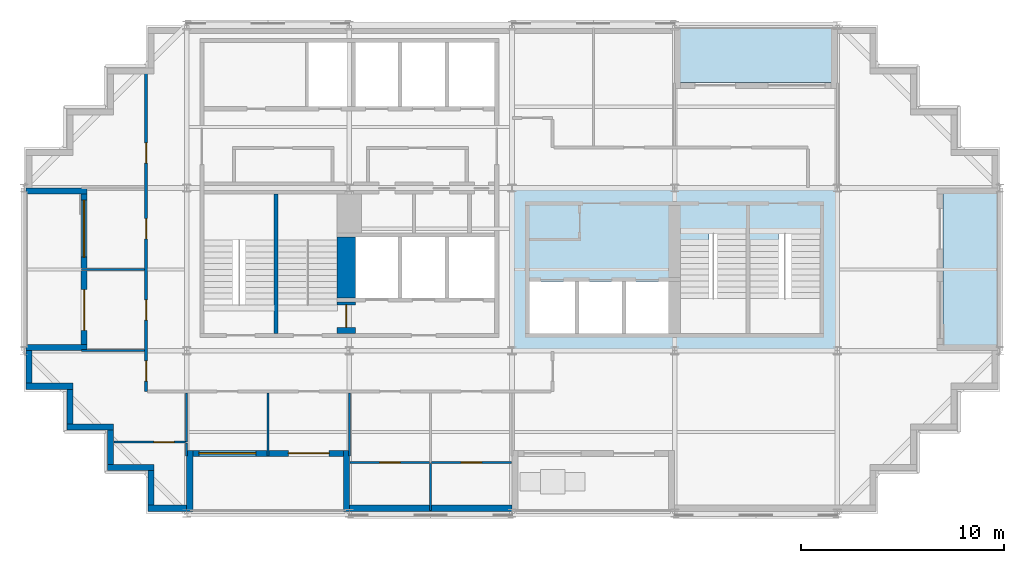
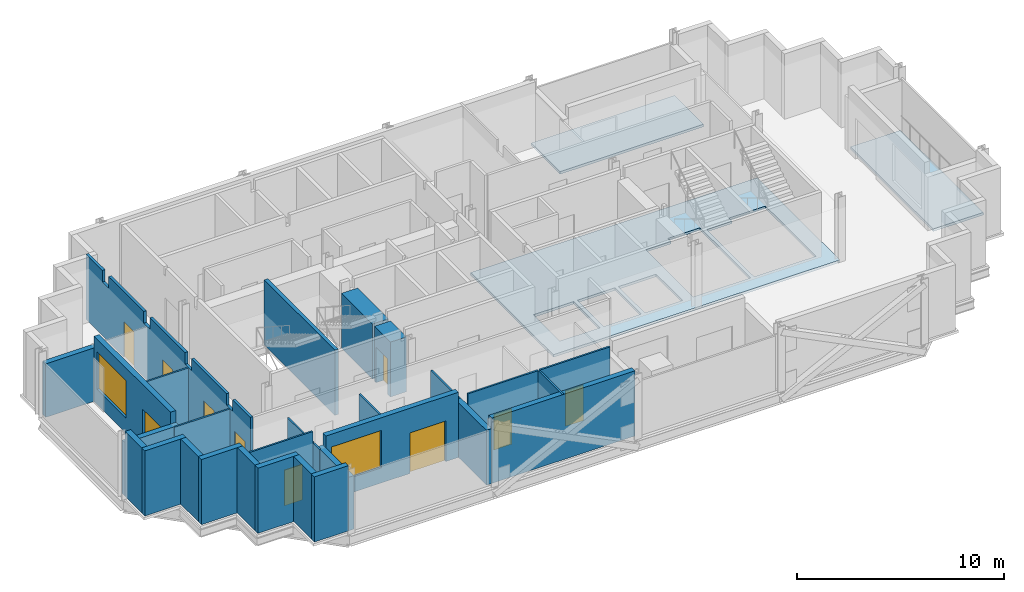
# One storey, part 2 of 8: 29 walls, 10 doors, 3 slabs, 2 windows, 12 openings.
"""IFC4 building model written with IfcOpenShell, lengths in metres."""

from ifc_helpers import new_model, si_unit, direction, frame, frame_2d, origin, place, context, subcontext, project, spatial, polyline, rectangle, outline, extrude, material, layer, layer_set, type_object, element, fill, save


model = new_model("IFC4")

# Units and contexts
model_context = context("Model", 3, precision=1e-05, world=origin(), true_north=direction((0.0, 1.0)))
body_context = subcontext(model_context, "Body", "Model", "MODEL_VIEW")
ifc_project = project(units=[si_unit("LENGTHUNIT", "METRE"), si_unit("AREAUNIT", "SQUARE_METRE"), si_unit("VOLUMEUNIT", "CUBIC_METRE"), si_unit("PLANEANGLEUNIT", "RADIAN"), si_unit("MASSUNIT", "GRAM", prefix="KILO")], contexts=[model_context])

# Site, building, storey
site_placement = place(None, origin())
site = spatial("IfcSite", under=ifc_project, at=site_placement, CompositionType="ELEMENT")
building_placement = place(site_placement, origin())
building = spatial("IfcBuilding", under=site, at=building_placement, Name="Immortelle Media Tower", CompositionType="ELEMENT")
storey_placement = place(building_placement, frame((0.0, 0.0, 193.0)))
storey = spatial("IfcBuildingStorey", under=building, at=storey_placement, Name="L40", CompositionType="ELEMENT", Elevation=193.0)

# Slabs
ifc_material_1 = material(Name="Concrete C50/60 composite deck", Category="concrete")
ifc_layer_1 = layer(ifc_material_1, 0.14990234375)
ifc_layer_set_1 = layer_set([ifc_layer_1], Name="Concrete C50/60 composite deck")
slab_type_1 = type_object("IfcSlabType", Name="Balcony slab 150", PredefinedType="FLOOR", material=ifc_layer_set_1)
slab_1_placement = place(storey_placement, frame((0.0, 0.0, -0.14990234375)))
element("IfcSlab", 1, at=slab_1_placement, inside=storey, type_object=slab_type_1, Name="Balcony slab L40 E0", PredefinedType="FLOOR", context=body_context, shape_type="SweptSolid", body=[
    extrude(outline(polyline([(48.0, 8.0), (48.0, 16.0), (45.199951171875, 16.0), (45.199951171875, 8.0), (48.0, 8.0)])), origin(), (0.0, 0.0, 1.0), 0.14990234375),
])
slab_2_placement = place(storey_placement, frame((0.0, 0.0, -0.14990234375)))
element("IfcSlab", 2, at=slab_2_placement, inside=storey, type_object=slab_type_1, Name="Balcony slab L40 N0", PredefinedType="FLOOR", context=body_context, shape_type="SweptSolid", body=[
    extrude(outline(polyline([(40.0, 21.199951171875), (40.0, 24.0), (32.0, 24.0), (32.0, 21.199951171875), (40.0, 21.199951171875)])), origin(), (0.0, 0.0, 1.0), 0.14990234375),
])
ifc_material_2 = material(Name="Concrete C50/60", Category="concrete")
ifc_layer_2 = layer(ifc_material_2, 0.14990234375)
ifc_layer_set_2 = layer_set([ifc_layer_2], Name="Concrete C50/60")
slab_type_2 = type_object("IfcSlabType", Name="Core floor slab 150", PredefinedType="FLOOR", material=ifc_layer_set_2)
slab_3_placement = place(storey_placement, frame((0.0, 0.0, -0.14990234375)))
element("IfcSlab", 3, at=slab_3_placement, inside=storey, type_object=slab_type_2, Name="Core floor SE", PredefinedType="FLOOR", context=body_context, shape_type="SweptSolid", body=[
    extrude(outline(polyline([(24.0, 8.0), (40.0, 8.0), (40.0, 16.0), (24.0, 16.0), (24.0, 8.0)]), holes=[polyline([(24.85009765625, 8.85009765625), (27.10009765625, 8.85009765625), (27.10009765625, 11.39990234375), (24.85009765625, 11.39990234375), (24.85009765625, 8.85009765625)]), polyline([(27.300048828125, 8.85009765625), (29.39990234375, 8.85009765625), (29.39990234375, 11.39990234375), (27.300048828125, 11.39990234375), (27.300048828125, 8.85009765625)]), polyline([(29.60009765625, 8.85009765625), (31.699951171875, 8.85009765625), (31.699951171875, 11.39990234375), (29.60009765625, 11.39990234375), (29.60009765625, 8.85009765625)]), polyline([(35.5, 13.72998046875), (35.5, 8.85009765625), (32.300048828125, 8.85009765625), (32.300048828125, 13.43994140625), (33.699951171875, 13.43994140625), (33.699951171875, 13.72998046875), (35.5, 13.72998046875)]), polyline([(39.14990234375, 13.72998046875), (39.14990234375, 8.85009765625), (35.699951171875, 8.85009765625), (35.699951171875, 13.43994140625), (37.10009765625, 13.43994140625), (37.10009765625, 13.72998046875), (39.14990234375, 13.72998046875)])]), origin(), (0.0, 0.0, 1.0), 0.14990234375),
])

# Wall, openings, doors
ifc_material_3 = material(Name="Fire-rated gypsum board", Category="gypsum")
ifc_layer_3 = layer(ifc_material_3, 0.012451171875)
ifc_material_4 = material(Name="Steel ASTM A653 SS Gr 50 stud frame with mineral wool", Category="steel")
ifc_layer_4 = layer(ifc_material_4, 0.125)
ifc_layer_5 = layer(ifc_material_3, 0.012451171875)
ifc_layer_set_3 = layer_set([ifc_layer_3, ifc_layer_4, ifc_layer_5], Name="Steel ASTM A653 SS Gr 50 stud frame with mineral wool")
wall_type_1 = type_object("IfcWallType", Name="Corridor wall 150", PredefinedType="PARTITIONING", material=ifc_layer_set_3)
wall_1_placement = place(storey_placement, frame((6.0, 6.0, 0.0), z_axis=(0.0, 0.0, 1.0), x_axis=(0.0, 1.0, 0.0)))
wall_1 = element("IfcWall", 4, at=wall_1_placement, inside=storey, type_object=wall_type_1, Name="Partition L40-012", PredefinedType="PARTITIONING", context=body_context, shape_type="SweptSolid", body=[
    extrude(outline(polyline([(0.0, 0.0), (15.8701171875, 0.0), (15.8701171875, 3.85009765625), (14.300048828125, 3.85009765625), (14.298095703125, 3.156982421875), (13.701904296875, 3.156982421875), (13.699951171875, 3.85009765625), (10.300048828125, 3.85009765625), (10.298095703125, 3.156982421875), (9.701904296875, 3.156982421875), (9.699951171875, 3.85009765625), (6.300048828125, 3.85009765625), (6.298095703125, 3.156982421875), (5.701904296875, 3.156982421875), (5.699951171875, 3.85009765625), (2.300048828125, 3.85009765625), (2.298095703125, 3.156982421875), (1.701904296875, 3.156982421875), (1.699951171875, 3.85009765625), (0.0, 3.85009765625), (0.0, 0.0)])), frame((0.0, 0.074951171875, 0.0), z_axis=(0.0, -1.0, 0.0), x_axis=(1.0, 0.0, 0.0)), (0.0, 0.0, 1.0), 0.14990234375),
])
opening_1_placement = place(wall_1_placement, frame((0.5, 0.0, 0.0)))
opening_1 = element("IfcOpeningElement", 5, at=opening_1_placement, cuts=wall_1, Name="Opening O1-F007", PredefinedType="OPENING", context=body_context, shape_type="SweptSolid", body=[
    extrude(rectangle(XDim=1.0, YDim=2.10009765625, at=frame_2d((0.5, 1.050048828125))), frame((0.0, 0.0849609375, 0.0), z_axis=(0.0, -1.0, 0.0), x_axis=(1.0, 0.0, 0.0)), (0.0, 0.0, 1.0), 0.169921875),
])
opening_2_placement = place(wall_1_placement, frame((3.5, 0.0, 0.0)))
opening_2 = element("IfcOpeningElement", 6, at=opening_2_placement, cuts=wall_1, Name="Opening O1-F010", PredefinedType="OPENING", context=body_context, shape_type="SweptSolid", body=[
    extrude(rectangle(XDim=1.0, YDim=2.10009765625, at=frame_2d((0.5, 1.050048828125))), frame((0.0, 0.0849609375, 0.0), z_axis=(0.0, -1.0, 0.0), x_axis=(1.0, 0.0, 0.0)), (0.0, 0.0, 1.0), 0.169921875),
])
opening_3_placement = place(wall_1_placement, frame((7.5, 0.0, 0.0)))
opening_3 = element("IfcOpeningElement", 7, at=opening_3_placement, cuts=wall_1, Name="Opening O1-F011", PredefinedType="OPENING", context=body_context, shape_type="SweptSolid", body=[
    extrude(rectangle(XDim=1.0, YDim=2.10009765625, at=frame_2d((0.5, 1.050048828125))), frame((0.0, 0.0849609375, 0.0), z_axis=(0.0, -1.0, 0.0), x_axis=(1.0, 0.0, 0.0)), (0.0, 0.0, 1.0), 0.169921875),
])
opening_4_placement = place(wall_1_placement, frame((11.22509765625, 0.0, 0.0)))
opening_4 = element("IfcOpeningElement", 8, at=opening_4_placement, cuts=wall_1, Name="Opening O1-F012", PredefinedType="OPENING", context=body_context, shape_type="SweptSolid", body=[
    extrude(rectangle(XDim=1.0, YDim=2.10009765625, at=frame_2d((0.5, 1.050048828125))), frame((0.0, 0.0849609375, 0.0), z_axis=(0.0, -1.0, 0.0), x_axis=(1.0, 0.0, 0.0)), (0.0, 0.0, 1.0), 0.169921875),
])
ifc_material_5 = material(Name="Timber veneered door leaf, galvanised steel frame ASTM A653", Category="steel")
door_type_1 = type_object("IfcDoorType", Name="Room door 1000 x 2100", OperationType="NOTDEFINED", PredefinedType="DOOR", material=ifc_material_5)
door_1_placement = place(opening_1_placement, origin())
door_1 = element("IfcDoor", 9, at=door_1_placement, inside=storey, type_object=door_type_1, Name="Door O1-F007", OperationType="SINGLE_SWING_RIGHT", OverallHeight=2.10009765625, OverallWidth=1.0, PredefinedType="DOOR", context=body_context, shape_type="SweptSolid", body=[
    extrude(rectangle(XDim=1.0, YDim=2.10009765625, at=frame_2d((0.5, 1.050048828125))), frame((0.0, 0.02490234375, 0.0), z_axis=(0.0, -1.0, 0.0), x_axis=(1.0, 0.0, 0.0)), (0.0, 0.0, 1.0), 0.050048828125),
])
fill(opening_1, door_1)
door_2_placement = place(opening_2_placement, origin())
door_2 = element("IfcDoor", 10, at=door_2_placement, inside=storey, type_object=door_type_1, Name="Door O1-F010", OperationType="SINGLE_SWING_RIGHT", OverallHeight=2.10009765625, OverallWidth=1.0, PredefinedType="DOOR", context=body_context, shape_type="SweptSolid", body=[
    extrude(rectangle(XDim=1.0, YDim=2.10009765625, at=frame_2d((0.5, 1.050048828125))), frame((0.0, 0.02490234375, 0.0), z_axis=(0.0, -1.0, 0.0), x_axis=(1.0, 0.0, 0.0)), (0.0, 0.0, 1.0), 0.050048828125),
])
fill(opening_2, door_2)
door_3_placement = place(opening_3_placement, origin())
door_3 = element("IfcDoor", 11, at=door_3_placement, inside=storey, type_object=door_type_1, Name="Door O1-F011", OperationType="SINGLE_SWING_LEFT", OverallHeight=2.10009765625, OverallWidth=1.0, PredefinedType="DOOR", context=body_context, shape_type="SweptSolid", body=[
    extrude(rectangle(XDim=1.0, YDim=2.10009765625, at=frame_2d((0.5, 1.050048828125))), frame((0.0, 0.02490234375, 0.0), z_axis=(0.0, -1.0, 0.0), x_axis=(1.0, 0.0, 0.0)), (0.0, 0.0, 1.0), 0.050048828125),
])
fill(opening_3, door_3)
door_4_placement = place(opening_4_placement, origin())
door_4 = element("IfcDoor", 12, at=door_4_placement, inside=storey, type_object=door_type_1, Name="Door O1-F012", OperationType="SINGLE_SWING_LEFT", OverallHeight=2.10009765625, OverallWidth=1.0, PredefinedType="DOOR", context=body_context, shape_type="SweptSolid", body=[
    extrude(rectangle(XDim=1.0, YDim=2.10009765625, at=frame_2d((0.5, 1.050048828125))), frame((0.0, 0.02490234375, 0.0), z_axis=(0.0, -1.0, 0.0), x_axis=(1.0, 0.0, 0.0)), (0.0, 0.0, 1.0), 0.050048828125),
])
fill(opening_4, door_4)

# Walls
ifc_material_6 = material(Name="Pale aluminium cladding panel", Category="aluminium")
ifc_layer_6 = layer(ifc_material_6, 0.030029296875)
ifc_layer_7 = layer(ifc_material_4, 0.257568359375)
ifc_material_7 = material(Name="Moisture-resistant gypsum board", Category="gypsum")
ifc_layer_8 = layer(ifc_material_7, 0.012451171875)
ifc_layer_set_4 = layer_set([ifc_layer_6, ifc_layer_7, ifc_layer_8], Name="Steel ASTM A653 SS Gr 50 stud frame with mineral wool")
wall_type_2 = type_object("IfcWallType", Name="Facade wall 300", PredefinedType="SOLIDWALL", material=ifc_layer_set_4)
wall_2_placement = place(storey_placement, frame((0.10009765625, 6.25, 0.0), z_axis=(0.0, 0.0, 1.0), x_axis=(1.0, 0.0, 0.0)))
element("IfcWall", 13, at=wall_2_placement, inside=storey, type_object=wall_type_2, Name="Facade wall L40 S0", PredefinedType="SOLIDWALL", context=body_context, shape_type="SweptSolid", body=[
    extrude(rectangle(XDim=2.2998046875, YDim=0.300048828125, at=frame_2d((1.14990234375, 0.0))), origin(), (0.0, 0.0, 1.0), 3.85009765625),
])
wall_3_placement = place(storey_placement, frame((2.25, 6.10009765625, 0.0), z_axis=(0.0, 0.0, 1.0), x_axis=(0.0, -1.0, 0.0)))
element("IfcWall", 14, at=wall_3_placement, inside=storey, type_object=wall_type_2, Name="Facade wall L40 W1", PredefinedType="SOLIDWALL", context=body_context, shape_type="SweptSolid", body=[
    extrude(rectangle(XDim=1.7001953125, YDim=0.300048828125, at=frame_2d((0.85009765625, 0.0))), origin(), (0.0, 0.0, 1.0), 3.85009765625),
])
wall_4_placement = place(storey_placement, frame((2.10009765625, 4.25, 0.0), z_axis=(0.0, 0.0, 1.0), x_axis=(1.0, 0.0, 0.0)))
element("IfcWall", 15, at=wall_4_placement, inside=storey, type_object=wall_type_2, Name="Facade wall L40 S2", PredefinedType="SOLIDWALL", context=body_context, shape_type="SweptSolid", body=[
    extrude(rectangle(XDim=2.2998046875, YDim=0.300048828125, at=frame_2d((1.14990234375, 0.0))), origin(), (0.0, 0.0, 1.0), 3.85009765625),
])
wall_5_placement = place(storey_placement, frame((4.25, 4.10009765625, 0.0), z_axis=(0.0, 0.0, 1.0), x_axis=(0.0, -1.0, 0.0)))
element("IfcWall", 16, at=wall_5_placement, inside=storey, type_object=wall_type_2, Name="Facade wall L40 W3", PredefinedType="SOLIDWALL", context=body_context, shape_type="SweptSolid", body=[
    extrude(rectangle(XDim=1.7001953125, YDim=0.300048828125, at=frame_2d((0.85009765625, 0.0))), origin(), (0.0, 0.0, 1.0), 3.85009765625),
])
wall_6_placement = place(storey_placement, frame((4.10009765625, 2.25, 0.0), z_axis=(0.0, 0.0, 1.0), x_axis=(1.0, 0.0, 0.0)))
element("IfcWall", 17, at=wall_6_placement, inside=storey, type_object=wall_type_2, Name="Facade wall L40 S4", PredefinedType="SOLIDWALL", context=body_context, shape_type="SweptSolid", body=[
    extrude(rectangle(XDim=2.2998046875, YDim=0.300048828125, at=frame_2d((1.14990234375, 0.0))), origin(), (0.0, 0.0, 1.0), 3.85009765625),
])
wall_7_placement = place(storey_placement, frame((6.25, 2.10009765625, 0.0), z_axis=(0.0, 0.0, 1.0), x_axis=(0.0, -1.0, 0.0)))
element("IfcWall", 18, at=wall_7_placement, inside=storey, type_object=wall_type_2, Name="Facade wall L40 W5", PredefinedType="SOLIDWALL", context=body_context, shape_type="SweptSolid", body=[
    extrude(rectangle(XDim=1.7001953125, YDim=0.300048828125, at=frame_2d((0.85009765625, 0.0))), origin(), (0.0, 0.0, 1.0), 3.85009765625),
])
wall_8_placement = place(storey_placement, frame((6.10009765625, 0.25, 0.0), z_axis=(0.0, 0.0, 1.0), x_axis=(1.0, 0.0, 0.0)))
element("IfcWall", 19, at=wall_8_placement, inside=storey, type_object=wall_type_2, Name="Facade wall L40 S6", PredefinedType="SOLIDWALL", context=body_context, shape_type="SweptSolid", body=[
    extrude(rectangle(XDim=1.89990234375, YDim=0.300048828125, at=frame_2d((0.949951171875, 0.0))), origin(), (0.0, 0.0, 1.0), 3.85009765625),
])

# Wall, openings, door, window
wall_9_placement = place(storey_placement, frame((8.300048828125, 2.949951171875, 0.0), z_axis=(0.0, 0.0, 1.0), x_axis=(1.0, 0.0, 0.0)))
wall_9 = element("IfcWall", 20, at=wall_9_placement, inside=storey, type_object=wall_type_2, Name="Loggia wall L40 S6", PredefinedType="SOLIDWALL", context=body_context, shape_type="SweptSolid", body=[
    extrude(rectangle(XDim=7.39990234375, YDim=0.300048828125, at=frame_2d((3.699951171875, 0.0))), origin(), (0.0, 0.0, 1.0), 3.85009765625),
])
opening_5_placement = place(wall_9_placement, frame((0.300048828125, 0.0, 0.89990234375)))
opening_5 = element("IfcOpeningElement", 21, at=opening_5_placement, cuts=wall_9, Name="Opening W1", PredefinedType="OPENING", context=body_context, shape_type="SweptSolid", body=[
    extrude(rectangle(XDim=2.800048828125, YDim=2.199951171875, at=frame_2d((1.39990234375, 1.10009765625))), frame((0.0, 0.159912109375, 0.0), z_axis=(0.0, -1.0, 0.0), x_axis=(1.0, 0.0, 0.0)), (0.0, 0.0, 1.0), 0.320068359375),
])
opening_6_placement = place(wall_9_placement, frame((4.699951171875, 0.0, 0.0)))
opening_6 = element("IfcOpeningElement", 22, at=opening_6_placement, cuts=wall_9, Name="Opening O1-E001", PredefinedType="OPENING", context=body_context, shape_type="SweptSolid", body=[
    extrude(rectangle(XDim=2.0, YDim=2.39990234375, at=frame_2d((1.0, 1.199951171875))), frame((0.0, 0.159912109375, 0.0), z_axis=(0.0, -1.0, 0.0), x_axis=(1.0, 0.0, 0.0)), (0.0, 0.0, 1.0), 0.320068359375),
])
ifc_material_8 = material(Name="Aluminium frame, glazed leaves", Category="aluminium")
door_type_2 = type_object("IfcDoorType", Name="Loggia door 2000 x 2400", OperationType="DOUBLE_DOOR_SINGLE_SWING", PredefinedType="DOOR", material=ifc_material_8)
door_5_placement = place(opening_6_placement, origin())
door_5 = element("IfcDoor", 23, at=door_5_placement, inside=storey, type_object=door_type_2, Name="Door O1-E001", OperationType="DOUBLE_DOOR_SINGLE_SWING", OverallHeight=2.39990234375, OverallWidth=2.0, PredefinedType="DOOR", context=body_context, shape_type="SweptSolid", body=[
    extrude(rectangle(XDim=2.0, YDim=2.39990234375, at=frame_2d((1.0, 1.199951171875))), frame((0.0, 0.02490234375, 0.0), z_axis=(0.0, -1.0, 0.0), x_axis=(1.0, 0.0, 0.0)), (0.0, 0.0, 1.0), 0.050048828125),
])
fill(opening_6, door_5)
ifc_material_9 = material(Name="Aluminium frame", Category="aluminium")
window_type = type_object("IfcWindowType", Name="Window 2800 x 2200", PartitioningType="SINGLE_PANEL", PredefinedType="WINDOW", material=ifc_material_9)
window_1_placement = place(opening_5_placement, origin())
window_1 = element("IfcWindow", 24, at=window_1_placement, inside=storey, type_object=window_type, Name="Window L40 L40-R6-B0", OverallHeight=2.199951171875, OverallWidth=2.800048828125, PartitioningType="SINGLE_PANEL", PredefinedType="WINDOW", context=body_context, shape_type="SweptSolid", body=[
    extrude(rectangle(XDim=2.800048828125, YDim=2.199951171875, at=frame_2d((1.39990234375, 1.10009765625))), frame((0.0, 0.030029296875, 0.0), z_axis=(0.0, -1.0, 0.0), x_axis=(1.0, 0.0, 0.0)), (0.0, 0.0, 1.0), 0.06005859375),
])
fill(opening_5, window_1)

# Walls
wall_10_placement = place(storey_placement, frame((8.14990234375, 0.10009765625, 0.0), z_axis=(0.0, 0.0, 1.0), x_axis=(0.0, 1.0, 0.0)))
element("IfcWall", 25, at=wall_10_placement, inside=storey, type_object=wall_type_2, Name="Loggia cheek wall L40 S", PredefinedType="SOLIDWALL", context=body_context, shape_type="SweptSolid", body=[
    extrude(rectangle(XDim=3.0, YDim=0.300048828125, at=frame_2d((1.5, 0.0))), origin(), (0.0, 0.0, 1.0), 3.156005859375),
])
wall_11_placement = place(storey_placement, frame((15.85009765625, 0.10009765625, 0.0), z_axis=(0.0, 0.0, 1.0), x_axis=(0.0, 1.0, 0.0)))
element("IfcWall", 26, at=wall_11_placement, inside=storey, type_object=wall_type_2, Name="Loggia cheek wall L40 S", PredefinedType="SOLIDWALL", context=body_context, shape_type="SweptSolid", body=[
    extrude(rectangle(XDim=3.0, YDim=0.300048828125, at=frame_2d((1.5, 0.0))), origin(), (0.0, 0.0, 1.0), 3.237060546875),
])
wall_12_placement = place(storey_placement, frame((16.0, 0.25, 0.0), z_axis=(0.0, 0.0, 1.0), x_axis=(1.0, 0.0, 0.0)))
element("IfcWall", 27, at=wall_12_placement, inside=storey, type_object=wall_type_2, Name="Facade wall L40 S6", PredefinedType="SOLIDWALL", context=body_context, shape_type="SweptSolid", body=[
    extrude(rectangle(XDim=8.0, YDim=0.300048828125, at=frame_2d((4.0, 0.0))), origin(), (0.0, 0.0, 1.0), 3.85009765625),
])

# Wall, openings, door, window
wall_13_placement = place(storey_placement, frame((2.949951171875, 15.699951171875, 0.0), z_axis=(0.0, 0.0, 1.0), x_axis=(0.0, -1.0, 0.0)))
wall_13 = element("IfcWall", 28, at=wall_13_placement, inside=storey, type_object=wall_type_2, Name="Loggia wall L40 W27", PredefinedType="SOLIDWALL", context=body_context, shape_type="SweptSolid", body=[
    extrude(rectangle(XDim=7.39990234375, YDim=0.300048828125, at=frame_2d((3.699951171875, 0.0))), origin(), (0.0, 0.0, 1.0), 3.85009765625),
])
opening_7_placement = place(wall_13_placement, frame((0.300048828125, 0.0, 0.89990234375)))
opening_7 = element("IfcOpeningElement", 29, at=opening_7_placement, cuts=wall_13, Name="Opening W1", PredefinedType="OPENING", context=body_context, shape_type="SweptSolid", body=[
    extrude(rectangle(XDim=2.800048828125, YDim=2.199951171875, at=frame_2d((1.39990234375, 1.10009765625))), frame((0.0, 0.159912109375, 0.0), z_axis=(0.0, -1.0, 0.0), x_axis=(1.0, 0.0, 0.0)), (0.0, 0.0, 1.0), 0.320068359375),
])
opening_8_placement = place(wall_13_placement, frame((4.699951171875, 0.0, 0.0)))
opening_8 = element("IfcOpeningElement", 30, at=opening_8_placement, cuts=wall_13, Name="Opening O1-E006", PredefinedType="OPENING", context=body_context, shape_type="SweptSolid", body=[
    extrude(rectangle(XDim=2.0, YDim=2.39990234375, at=frame_2d((1.0, 1.199951171875))), frame((0.0, 0.159912109375, 0.0), z_axis=(0.0, -1.0, 0.0), x_axis=(1.0, 0.0, 0.0)), (0.0, 0.0, 1.0), 0.320068359375),
])
door_6_placement = place(opening_8_placement, origin())
door_6 = element("IfcDoor", 31, at=door_6_placement, inside=storey, type_object=door_type_2, Name="Door O1-E006", OperationType="DOUBLE_DOOR_SINGLE_SWING", OverallHeight=2.39990234375, OverallWidth=2.0, PredefinedType="DOOR", context=body_context, shape_type="SweptSolid", body=[
    extrude(rectangle(XDim=2.0, YDim=2.39990234375, at=frame_2d((1.0, 1.199951171875))), frame((0.0, 0.02490234375, 0.0), z_axis=(0.0, -1.0, 0.0), x_axis=(1.0, 0.0, 0.0)), (0.0, 0.0, 1.0), 0.050048828125),
])
fill(opening_8, door_6)
window_2_placement = place(opening_7_placement, origin())
window_2 = element("IfcWindow", 32, at=window_2_placement, inside=storey, type_object=window_type, Name="Window L40 L40-R27-B0", OverallHeight=2.199951171875, OverallWidth=2.800048828125, PartitioningType="SINGLE_PANEL", PredefinedType="WINDOW", context=body_context, shape_type="SweptSolid", body=[
    extrude(rectangle(XDim=2.800048828125, YDim=2.199951171875, at=frame_2d((1.39990234375, 1.10009765625))), frame((0.0, 0.030029296875, 0.0), z_axis=(0.0, -1.0, 0.0), x_axis=(1.0, 0.0, 0.0)), (0.0, 0.0, 1.0), 0.06005859375),
])
fill(opening_7, window_2)

# Walls
for number, where, z_axis, x_axis, name in (
    (33, (0.10009765625, 15.85009765625, 0.0), (0.0, 0.0, 1.0), (1.0, 0.0, 0.0), "Loggia cheek wall L40 W"),
    (34, (0.10009765625, 8.14990234375, 0.0), (0.0, 0.0, 1.0), (1.0, 0.0, 0.0), "Loggia cheek wall L40 W"),
):
    element("IfcWall", number, at=place(storey_placement, frame(where, z_axis=z_axis, x_axis=x_axis)), inside=storey, type_object=wall_type_2, Name=name, PredefinedType="SOLIDWALL", context=body_context, shape_type="SweptSolid", body=[
        extrude(rectangle(XDim=3.0, YDim=0.300048828125, at=frame_2d((1.5, 0.0))), origin(), (0.0, 0.0, 1.0), 3.156005859375),
    ])
wall_14_placement = place(storey_placement, frame((0.25, 8.0, 0.0), z_axis=(0.0, 0.0, 1.0), x_axis=(0.0, -1.0, 0.0)))
element("IfcWall", 35, at=wall_14_placement, inside=storey, type_object=wall_type_2, Name="Facade wall L40 W27", PredefinedType="SOLIDWALL", context=body_context, shape_type="SweptSolid", body=[
    extrude(rectangle(XDim=1.60009765625, YDim=0.300048828125, at=frame_2d((0.800048828125, 0.0))), origin(), (0.0, 0.0, 1.0), 3.85009765625),
])
ifc_material_10 = material(Name="Gypsum board", Category="gypsum")
ifc_layer_9 = layer(ifc_material_10, 0.012451171875)
ifc_layer_10 = layer(ifc_material_4, 0.074951171875)
ifc_layer_11 = layer(ifc_material_10, 0.012451171875)
ifc_layer_set_5 = layer_set([ifc_layer_9, ifc_layer_10, ifc_layer_11], Name="Steel ASTM A653 SS Gr 50 stud frame with mineral wool")
wall_type_3 = type_object("IfcWallType", Name="Partition 100", PredefinedType="PARTITIONING", material=ifc_layer_set_5)
wall_15_placement = place(storey_placement, frame((20.0, 0.1298828125, 0.0), z_axis=(0.0, 0.0, 1.0), x_axis=(0.0, 1.0, 0.0)))
element("IfcWall", 36, at=wall_15_placement, inside=storey, type_object=wall_type_3, Name="Partition L40-001", PredefinedType="PARTITIONING", context=body_context, shape_type="SweptSolid", body=[
    extrude(rectangle(XDim=2.320068359375, YDim=0.10009765625, at=frame_2d((1.16015625, 0.0))), origin(), (0.0, 0.0, 1.0), 3.85009765625),
])

# Wall, opening, door
wall_16_placement = place(storey_placement, frame((16.030029296875, 2.5, 0.0), z_axis=(0.0, 0.0, 1.0), x_axis=(1.0, 0.0, 0.0)))
wall_16 = element("IfcWall", 37, at=wall_16_placement, inside=storey, type_object=wall_type_3, Name="Partition L40-002", PredefinedType="PARTITIONING", context=body_context, shape_type="SweptSolid", body=[
    extrude(rectangle(XDim=3.919921875, YDim=0.10009765625, at=frame_2d((1.9599609375, 0.0))), origin(), (0.0, 0.0, 1.0), 3.85009765625),
])
opening_9_placement = place(wall_16_placement, frame((2.469970703125, 0.0, 0.0), z_axis=(0.0, 0.0, 1.0), x_axis=(-1.0, 0.0, 0.0)))
opening_9 = element("IfcOpeningElement", 38, at=opening_9_placement, cuts=wall_16, Name="Opening O1-F002", PredefinedType="OPENING", context=body_context, shape_type="SweptSolid", body=[
    extrude(rectangle(XDim=1.0, YDim=2.10009765625, at=frame_2d((0.5, 1.050048828125))), frame((0.0, 0.06005859375, 0.0), z_axis=(0.0, -1.0, 0.0), x_axis=(1.0, 0.0, 0.0)), (0.0, 0.0, 1.0), 0.1201171875),
])
door_7_placement = place(opening_9_placement, origin())
door_7 = element("IfcDoor", 39, at=door_7_placement, inside=storey, type_object=door_type_1, Name="Door O1-F002", OperationType="SINGLE_SWING_LEFT", OverallHeight=2.10009765625, OverallWidth=1.0, PredefinedType="DOOR", context=body_context, shape_type="SweptSolid", body=[
    extrude(rectangle(XDim=1.0, YDim=2.10009765625, at=frame_2d((0.5, 1.050048828125))), frame((0.0, 0.02490234375, 0.0), z_axis=(0.0, -1.0, 0.0), x_axis=(1.0, 0.0, 0.0)), (0.0, 0.0, 1.0), 0.050048828125),
])
fill(opening_9, door_7)

wall_17_placement = place(storey_placement, frame((20.050048828125, 2.5, 0.0), z_axis=(0.0, 0.0, 1.0), x_axis=(1.0, 0.0, 0.0)))
wall_17 = element("IfcWall", 40, at=wall_17_placement, inside=storey, type_object=wall_type_3, Name="Partition L40-003", PredefinedType="PARTITIONING", context=body_context, shape_type="SweptSolid", body=[
    extrude(rectangle(XDim=3.919921875, YDim=0.10009765625, at=frame_2d((1.9599609375, 0.0))), origin(), (0.0, 0.0, 1.0), 3.85009765625),
])
opening_10_placement = place(wall_17_placement, frame((2.449951171875, 0.0, 0.0), z_axis=(0.0, 0.0, 1.0), x_axis=(-1.0, 0.0, 0.0)))
opening_10 = element("IfcOpeningElement", 41, at=opening_10_placement, cuts=wall_17, Name="Opening O1-F004", PredefinedType="OPENING", context=body_context, shape_type="SweptSolid", body=[
    extrude(rectangle(XDim=1.0, YDim=2.10009765625, at=frame_2d((0.5, 1.050048828125))), frame((0.0, 0.06005859375, 0.0), z_axis=(0.0, -1.0, 0.0), x_axis=(1.0, 0.0, 0.0)), (0.0, 0.0, 1.0), 0.1201171875),
])
door_8_placement = place(opening_10_placement, origin())
door_8 = element("IfcDoor", 42, at=door_8_placement, inside=storey, type_object=door_type_1, Name="Door O1-F004", OperationType="SINGLE_SWING_LEFT", OverallHeight=2.10009765625, OverallWidth=1.0, PredefinedType="DOOR", context=body_context, shape_type="SweptSolid", body=[
    extrude(rectangle(XDim=1.0, YDim=2.10009765625, at=frame_2d((0.5, 1.050048828125))), frame((0.0, 0.02490234375, 0.0), z_axis=(0.0, -1.0, 0.0), x_axis=(1.0, 0.0, 0.0)), (0.0, 0.0, 1.0), 0.050048828125),
])
fill(opening_10, door_8)

# Walls
wall_18_placement = place(storey_placement, frame((8.0, 2.830078125, 0.0), z_axis=(0.0, 0.0, 1.0), x_axis=(0.0, 1.0, 0.0)))
element("IfcWall", 43, at=wall_18_placement, inside=storey, type_object=wall_type_3, Name="Partition L40-005", PredefinedType="PARTITIONING", context=body_context, shape_type="SweptSolid", body=[
    extrude(rectangle(XDim=0.619873046875, YDim=0.10009765625, at=frame_2d((0.31005859375, 0.0))), origin(), (0.0, 0.0, 1.0), 3.156982421875),
])
for number, where, z_axis, x_axis, name in (
    (44, (12.0, 2.830078125, 0.0), (0.0, 0.0, 1.0), (0.0, 1.0, 0.0), "Partition L40-006"),
    (45, (16.0, 2.830078125, 0.0), (0.0, 0.0, 1.0), (0.0, 1.0, 0.0), "Partition L40-007"),
):
    element("IfcWall", number, at=place(storey_placement, frame(where, z_axis=z_axis, x_axis=x_axis)), inside=storey, type_object=wall_type_3, Name=name, PredefinedType="PARTITIONING", context=body_context, shape_type="SweptSolid", body=[
        extrude(rectangle(XDim=3.094970703125, YDim=0.10009765625, at=frame_2d((1.54736328125, 0.0))), origin(), (0.0, 0.0, 1.0), 3.156982421875),
    ])

# Wall, opening, door
wall_19_placement = place(storey_placement, frame((4.429931640625, 3.5, 0.0), z_axis=(0.0, 0.0, 1.0), x_axis=(1.0, 0.0, 0.0)))
wall_19 = element("IfcWall", 46, at=wall_19_placement, inside=storey, type_object=wall_type_3, Name="Partition L40-009", PredefinedType="PARTITIONING", context=body_context, shape_type="SweptSolid", body=[
    extrude(rectangle(XDim=3.52001953125, YDim=0.10009765625, at=frame_2d((1.760009765625, 0.0))), origin(), (0.0, 0.0, 1.0), 3.85009765625),
])
opening_11_placement = place(wall_19_placement, frame((2.949951171875, 0.0, 0.0), z_axis=(0.0, 0.0, 1.0), x_axis=(-1.0, 0.0, 0.0)))
opening_11 = element("IfcOpeningElement", 47, at=opening_11_placement, cuts=wall_19, Name="Opening O1-F008", PredefinedType="OPENING", context=body_context, shape_type="SweptSolid", body=[
    extrude(rectangle(XDim=1.0, YDim=2.10009765625, at=frame_2d((0.5, 1.050048828125))), frame((0.0, 0.06005859375, 0.0), z_axis=(0.0, -1.0, 0.0), x_axis=(1.0, 0.0, 0.0)), (0.0, 0.0, 1.0), 0.1201171875),
])
door_9_placement = place(opening_11_placement, origin())
door_9 = element("IfcDoor", 48, at=door_9_placement, inside=storey, type_object=door_type_1, Name="Door O1-F008", OperationType="SINGLE_SWING_LEFT", OverallHeight=2.10009765625, OverallWidth=1.0, PredefinedType="DOOR", context=body_context, shape_type="SweptSolid", body=[
    extrude(rectangle(XDim=1.0, YDim=2.10009765625, at=frame_2d((0.5, 1.050048828125))), frame((0.0, 0.02490234375, 0.0), z_axis=(0.0, -1.0, 0.0), x_axis=(1.0, 0.0, 0.0)), (0.0, 0.0, 1.0), 0.050048828125),
])
fill(opening_11, door_9)

# Walls
wall_20_placement = place(storey_placement, frame((8.0, 3.5, 0.0), z_axis=(0.0, 0.0, 1.0), x_axis=(0.0, 1.0, 0.0)))
element("IfcWall", 49, at=wall_20_placement, inside=storey, type_object=wall_type_3, Name="Partition L40-010", PredefinedType="PARTITIONING", context=body_context, shape_type="SweptSolid", body=[
    extrude(rectangle(XDim=2.425048828125, YDim=0.10009765625, at=frame_2d((1.21240234375, 0.0))), origin(), (0.0, 0.0, 1.0), 3.156982421875),
])
for number, where, z_axis, x_axis, name in (
    (50, (2.830078125, 8.0, 0.0), (0.0, 0.0, 1.0), (1.0, 0.0, 0.0), "Partition L40-014"),
    (51, (2.830078125, 12.0, 0.0), (0.0, 0.0, 1.0), (1.0, 0.0, 0.0), "Partition L40-015"),
):
    element("IfcWall", number, at=place(storey_placement, frame(where, z_axis=z_axis, x_axis=x_axis)), inside=storey, type_object=wall_type_3, Name=name, PredefinedType="PARTITIONING", context=body_context, shape_type="SweptSolid", body=[
        extrude(rectangle(XDim=3.094970703125, YDim=0.10009765625, at=frame_2d((1.54736328125, 0.0))), origin(), (0.0, 0.0, 1.0), 3.156982421875),
    ])
ifc_material_11 = material(Name="Concrete C60", Category="concrete")
ifc_layer_12 = layer(ifc_material_11, 0.199951171875)
ifc_layer_set_6 = layer_set([ifc_layer_12], Name="Concrete C60")
wall_type_4 = type_object("IfcWallType", Name="Stair shaft wall 200", PredefinedType="PARTITIONING", material=ifc_layer_set_6)
wall_21_placement = place(storey_placement, frame((12.39990234375, 8.85009765625, 0.0), z_axis=(0.0, 0.0, 1.0), x_axis=(0.0, 1.0, 0.0)))
element("IfcWall", 52, at=wall_21_placement, inside=storey, type_object=wall_type_4, Name="Stair shaft wall SW", PredefinedType="PARTITIONING", context=body_context, shape_type="SweptSolid", body=[
    extrude(rectangle(XDim=6.849853515625, YDim=0.199951171875, at=frame_2d((3.4248046875, 0.0))), origin(), (0.0, 0.0, 1.0), 3.85009765625),
])

# Wall, opening, door
ifc_layer_13 = layer(ifc_material_11, 0.89990234375)
ifc_layer_set_7 = layer_set([ifc_layer_13], Name="Concrete C60")
wall_type_5 = type_object("IfcWallType", Name="Stair shaft wall 900", PredefinedType="PARTITIONING", material=ifc_layer_set_7)
wall_22_placement = place(storey_placement, frame((15.85009765625, 8.85009765625, 0.0), z_axis=(0.0, 0.0, 1.0), x_axis=(0.0, 1.0, 0.0)))
wall_22 = element("IfcWall", 53, at=wall_22_placement, inside=storey, type_object=wall_type_5, Name="Stair shaft wall SW", PredefinedType="PARTITIONING", context=body_context, shape_type="SweptSolid", body=[
    extrude(rectangle(XDim=1.5498046875, YDim=0.89990234375, at=frame_2d((0.77490234375, 0.0))), origin(), (0.0, 0.0, 1.0), 3.241943359375),
])
opening_12_placement = place(wall_22_placement, frame((0.300048828125, 0.0, 0.0)))
opening_12 = element("IfcOpeningElement", 54, at=opening_12_placement, cuts=wall_22, Name="Opening O1-K007", PredefinedType="OPENING", context=body_context, shape_type="SweptSolid", body=[
    extrude(rectangle(XDim=1.10009765625, YDim=2.10009765625, at=frame_2d((0.550048828125, 1.050048828125))), frame((0.0, 0.4599609375, 0.0), z_axis=(0.0, -1.0, 0.0), x_axis=(1.0, 0.0, 0.0)), (0.0, 0.0, 1.0), 0.919921875),
])
ifc_material_12 = material(Name="Galvanised steel door leaf and frame ASTM A653", Category="steel")
door_type_3 = type_object("IfcDoorType", Name="Stair lobby door 1100 x 2100", OperationType="NOTDEFINED", PredefinedType="NOTDEFINED", material=ifc_material_12)
door_10_placement = place(opening_12_placement, origin())
door_10 = element("IfcDoor", 55, at=door_10_placement, inside=storey, type_object=door_type_3, Name="Stair lobby O1-K007", OperationType="SINGLE_SWING_LEFT", OverallHeight=2.10009765625, OverallWidth=1.10009765625, PredefinedType="NOTDEFINED", context=body_context, shape_type="SweptSolid", body=[
    extrude(rectangle(XDim=1.10009765625, YDim=2.10009765625, at=frame_2d((0.550048828125, 1.050048828125))), frame((0.0, 0.02490234375, 0.0), z_axis=(0.0, -1.0, 0.0), x_axis=(1.0, 0.0, 0.0)), (0.0, 0.0, 1.0), 0.050048828125),
])
fill(opening_12, door_10)

# Wall
wall_23_placement = place(storey_placement, frame((15.85009765625, 10.60009765625, 0.0), z_axis=(0.0, 0.0, 1.0), x_axis=(0.0, 1.0, 0.0)))
element("IfcWall", 56, at=wall_23_placement, inside=storey, type_object=wall_type_5, Name="Stair shaft wall SW", PredefinedType="PARTITIONING", context=body_context, shape_type="SweptSolid", body=[
    extrude(rectangle(XDim=3.0, YDim=0.89990234375, at=frame_2d((1.5, 0.0))), origin(), (0.0, 0.0, 1.0), 3.241943359375),
])

save(model, "model.ifc")
